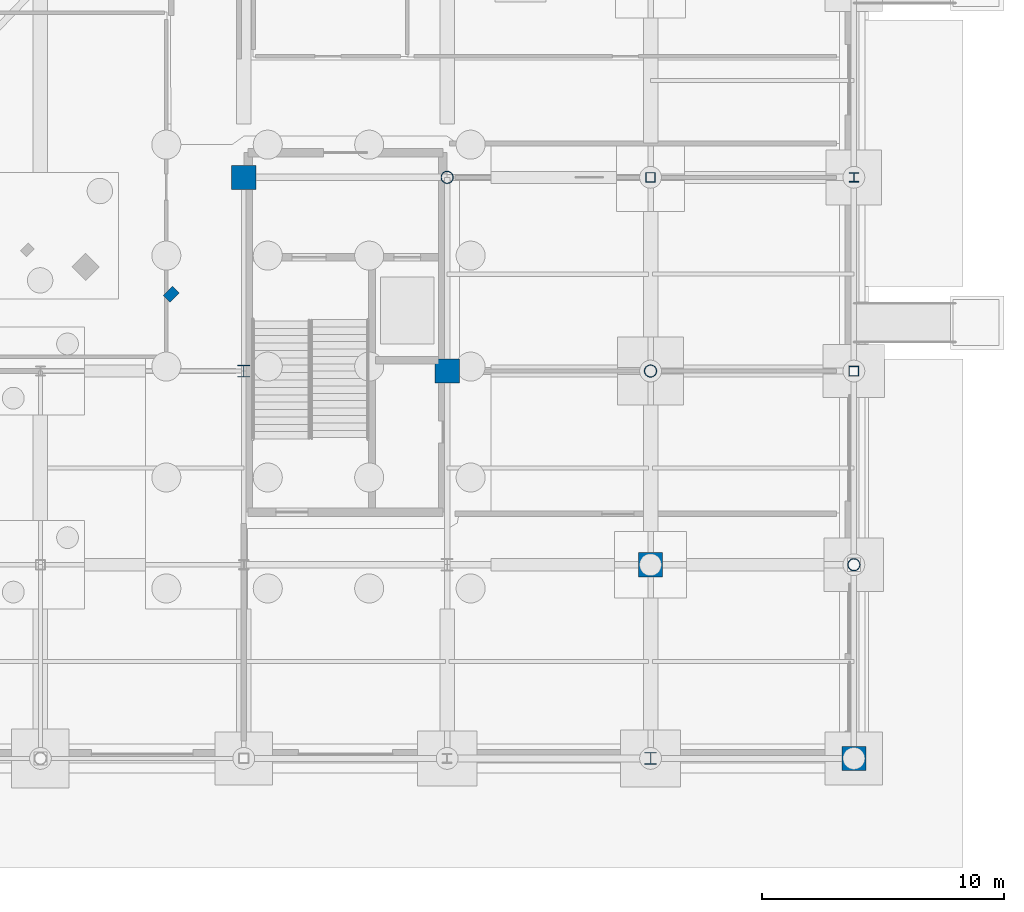
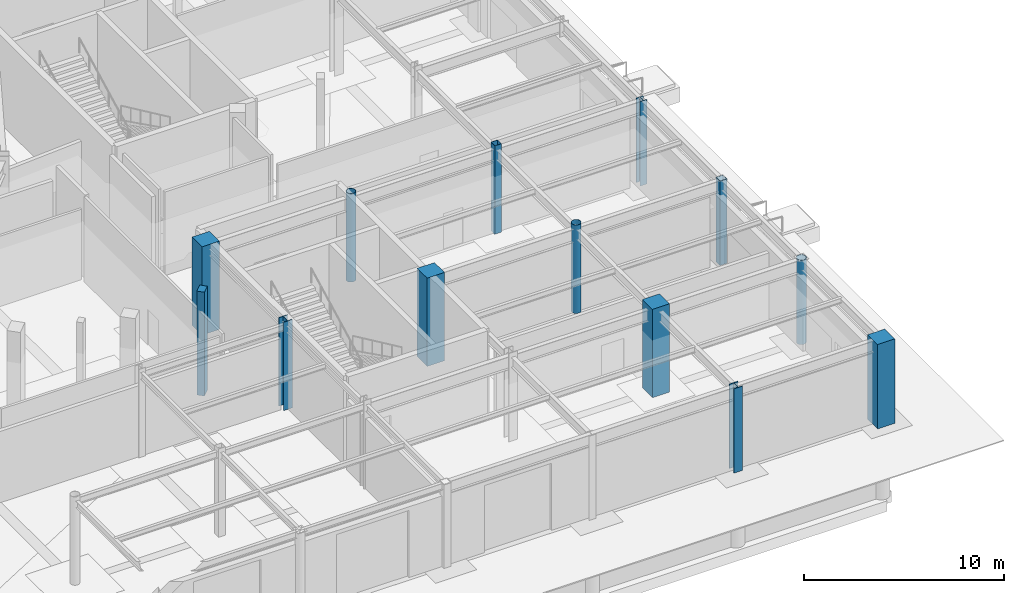
# One storey, part 26 of 93: 13 columns.
"""IFC4 building model written with IfcOpenShell, lengths in metres."""

from ifc_helpers import new_model, si_unit, direction, frame, origin, origin_2d, place, context, subcontext, project, spatial, rectangle, hollow_rectangle, hollow_circle, i_section, extrude, material, material_profile, profile_set, type_object, element, save


model = new_model("IFC4")

# Units and contexts
model_context = context("Model", 3, precision=1e-05, world=origin(), true_north=direction((0.0, 1.0)))
body_context = subcontext(model_context, "Body", "Model", "MODEL_VIEW")
ifc_project = project(units=[si_unit("LENGTHUNIT", "METRE"), si_unit("AREAUNIT", "SQUARE_METRE"), si_unit("VOLUMEUNIT", "CUBIC_METRE"), si_unit("PLANEANGLEUNIT", "RADIAN"), si_unit("MASSUNIT", "GRAM", prefix="KILO")], contexts=[model_context])

# Site, building, storey
site_placement = place(None, origin())
site = spatial("IfcSite", under=ifc_project, at=site_placement, CompositionType="ELEMENT")
building_placement = place(site_placement, origin())
building = spatial("IfcBuilding", under=site, at=building_placement, Name="Kalgoora Escarpment Arena", CompositionType="ELEMENT")
storey_placement = place(building_placement, origin())
storey = spatial("IfcBuildingStorey", under=building, at=storey_placement, Name="L00", CompositionType="ELEMENT", Elevation=0.0)

# Columns
ifc_material_1 = material(Name="Structural steel Grade 350 (350 MPa)", Category="steel")
ifc_material_profile_1 = material_profile(ifc_material_1, i_section(OverallWidth=0.39990234375, OverallDepth=0.39990234375, WebThickness=0.01806640625, FlangeThickness=0.031982421875, at=origin_2d()))
ifc_profile_set_1 = profile_set([ifc_material_profile_1], Name="Structural steel Grade 350 (350 MPa)")
column_type_1 = type_object("IfcColumnType", Name="COL-COL-400WC270", PredefinedType="COLUMN", material=ifc_profile_set_1)
column_1_placement = place(storey_placement, frame((184.800048828125, 24.0, 0.0), z_axis=(0.0, 0.0, 1.0), x_axis=(1.0, 0.0, 0.0)))
element("IfcColumn", 1, at=column_1_placement, inside=storey, type_object=column_type_1, Name="L00 structural column COL-G23-D", PredefinedType="COLUMN", context=body_context, shape_type="SweptSolid", body=[
    extrude(i_section(OverallWidth=0.39990234375, OverallDepth=0.39990234375, WebThickness=0.01806640625, FlangeThickness=0.031982421875, at=origin_2d()), origin(), (0.0, 0.0, 1.0), 5.159912109375),
])
ifc_material_2 = material(Name="Structural steel C450 (450 MPa)", Category="steel")
ifc_material_profile_2 = material_profile(ifc_material_2, hollow_rectangle(XDim=0.39990234375, YDim=0.39990234375, WallThickness=0.01611328125, at=origin_2d()))
ifc_profile_set_2 = profile_set([ifc_material_profile_2], Name="Structural steel C450 (450 MPa)")
column_type_2 = type_object("IfcColumnType", Name="COL-COL-400x400x16.0SHS", PredefinedType="COLUMN", material=ifc_profile_set_2)
column_2_placement = place(storey_placement, frame((176.39990234375, 24.0, 0.0), z_axis=(0.0, 0.0, 1.0), x_axis=(1.0, 0.0, 0.0)))
element("IfcColumn", 2, at=column_2_placement, inside=storey, type_object=column_type_2, Name="L00 structural column COL-G22-D", PredefinedType="COLUMN", context=body_context, shape_type="SweptSolid", body=[
    extrude(hollow_rectangle(XDim=0.39990234375, YDim=0.39990234375, WallThickness=0.01611328125, at=origin_2d()), origin(), (0.0, 0.0, 1.0), 5.39990234375),
])
column_3_placement = place(storey_placement, frame((184.800048828125, 16.0, 0.0), z_axis=(0.0, 0.0, 1.0), x_axis=(1.0, 0.0, 0.0)))
element("IfcColumn", 3, at=column_3_placement, inside=storey, type_object=column_type_2, Name="L00 structural column COL-G23-C", PredefinedType="COLUMN", context=body_context, shape_type="SweptSolid", body=[
    extrude(hollow_rectangle(XDim=0.39990234375, YDim=0.39990234375, WallThickness=0.01611328125, at=origin_2d()), origin(), (0.0, 0.0, 1.0), 5.159912109375),
])
ifc_material_3 = material(Name="Structural steel Grade 350 (350 MPa)", Category="steel")
ifc_material_profile_3 = material_profile(ifc_material_3, i_section(OverallWidth=0.5, OverallDepth=0.5, WebThickness=0.02001953125, FlangeThickness=0.034912109375, at=origin_2d()))
ifc_profile_set_3 = profile_set([ifc_material_profile_3], Name="Structural steel Grade 350 (350 MPa)")
column_type_3 = type_object("IfcColumnType", Name="COL-COL-500WC340", PredefinedType="COLUMN", material=ifc_profile_set_3)
column_4_placement = place(storey_placement, frame((159.60009765625, 16.0, 0.0), z_axis=(0.0, 0.0, 1.0), x_axis=(1.0, 0.0, 0.0)))
element("IfcColumn", 4, at=column_4_placement, inside=storey, type_object=column_type_3, Name="L00 structural column COL-G20-C", PredefinedType="COLUMN", context=body_context, shape_type="SweptSolid", body=[
    extrude(i_section(OverallWidth=0.5, OverallDepth=0.5, WebThickness=0.02001953125, FlangeThickness=0.034912109375, at=origin_2d()), origin(), (0.0, 0.0, 1.0), 5.39990234375),
])
column_5_placement = place(storey_placement, frame((176.39990234375, 0.0, 0.0), z_axis=(0.0, 0.0, 1.0), x_axis=(1.0, 0.0, 0.0)))
element("IfcColumn", 5, at=column_5_placement, inside=storey, type_object=column_type_3, Name="L00 structural column COL-G22-A", PredefinedType="COLUMN", context=body_context, shape_type="SweptSolid", body=[
    extrude(i_section(OverallWidth=0.5, OverallDepth=0.5, WebThickness=0.02001953125, FlangeThickness=0.034912109375, at=origin_2d()), origin(), (0.0, 0.0, 1.0), 5.159912109375),
])
ifc_material_4 = material(Name="Structural steel C350 (350 MPa)", Category="steel")
ifc_material_profile_4 = material_profile(ifc_material_4, hollow_circle(Radius=0.25390625, WallThickness=0.01611328125, at=origin_2d()))
ifc_profile_set_4 = profile_set([ifc_material_profile_4], Name="Structural steel C350 (350 MPa)")
column_type_4 = type_object("IfcColumnType", Name="COL-COL-508.0x16.0CHS", PredefinedType="COLUMN", material=ifc_profile_set_4)
for number, where, z_axis, x_axis, name in (
    (6, (168.0, 24.0, 0.0), (0.0, 0.0, 1.0), (1.0, 0.0, 0.0), "L00 structural column COL-G21-D"),
    (7, (176.39990234375, 16.0, 0.0), (0.0, 0.0, 1.0), (1.0, 0.0, 0.0), "L00 structural column COL-G22-C"),
):
    element("IfcColumn", number, at=place(storey_placement, frame(where, z_axis=z_axis, x_axis=x_axis)), inside=storey, type_object=column_type_4, Name=name, PredefinedType="COLUMN", context=body_context, shape_type="SweptSolid", body=[
        extrude(hollow_circle(Radius=0.25390625, WallThickness=0.01611328125, at=origin_2d()), origin(), (0.0, 0.0, 1.0), 5.39990234375),
    ])
column_6_placement = place(storey_placement, frame((184.800048828125, 8.0, 0.0), z_axis=(0.0, 0.0, 1.0), x_axis=(1.0, 0.0, 0.0)))
element("IfcColumn", 8, at=column_6_placement, inside=storey, type_object=column_type_4, Name="L00 structural column COL-G23-B", PredefinedType="COLUMN", context=body_context, shape_type="SweptSolid", body=[
    extrude(hollow_circle(Radius=0.25390625, WallThickness=0.01611328125, at=origin_2d()), origin(), (0.0, 0.0, 1.0), 5.159912109375),
])
ifc_material_5 = material(Name="Concrete N50 (fc' 50 MPa)", Category="concrete")
ifc_material_profile_5 = material_profile(ifc_material_5, rectangle(XDim=1.0, YDim=1.0, at=origin_2d()))
ifc_profile_set_5 = profile_set([ifc_material_profile_5], Name="Concrete N50 (fc' 50 MPa)")
column_type_5 = type_object("IfcColumnType", Name="COL-COL-RC1000x1000", PredefinedType="COLUMN", material=ifc_profile_set_5)
for number, where, z_axis, x_axis, name in (
    (9, (159.60009765625, 24.0, 0.0), (0.0, 0.0, 1.0), (1.0, 0.0, 0.0), "L00 structural column COL-G20-D"),
    (10, (168.0, 16.0, 0.0), (0.0, 0.0, 1.0), (1.0, 0.0, 0.0), "L00 structural column COL-G21-C"),
    (11, (176.39990234375, 8.0, 0.0), (0.0, 0.0, 1.0), (1.0, 0.0, 0.0), "L00 structural column COL-G22-B"),
):
    element("IfcColumn", number, at=place(storey_placement, frame(where, z_axis=z_axis, x_axis=x_axis)), inside=storey, type_object=column_type_5, Name=name, PredefinedType="COLUMN", context=body_context, shape_type="SweptSolid", body=[
        extrude(rectangle(XDim=1.0, YDim=1.0, at=origin_2d()), origin(), (0.0, 0.0, 1.0), 5.39990234375),
    ])
column_7_placement = place(storey_placement, frame((184.800048828125, 0.0, 0.0), z_axis=(0.0, 0.0, 1.0), x_axis=(1.0, 0.0, 0.0)))
element("IfcColumn", 12, at=column_7_placement, inside=storey, type_object=column_type_5, Name="L00 structural column COL-G23-A", PredefinedType="COLUMN", context=body_context, shape_type="SweptSolid", body=[
    extrude(rectangle(XDim=1.0, YDim=1.0, at=origin_2d()), origin(), (0.0, 0.0, 1.0), 5.159912109375),
])
ifc_material_6 = material(Name="Precast concrete N50 (fc' 50 MPa)", Category="concrete")
ifc_material_profile_6 = material_profile(ifc_material_6, rectangle(XDim=0.39990234375, YDim=0.550048828125, at=origin_2d()))
ifc_profile_set_6 = profile_set([ifc_material_profile_6], Name="Precast concrete N50 (fc' 50 MPa)")
column_type_6 = type_object("IfcColumnType", Name="COL-PIL-PC-PILASTER-550x400", PredefinedType="PILASTER", material=ifc_profile_set_6)
column_8_placement = place(storey_placement, frame((156.60498046875, 19.1689453125, 0.0), z_axis=(0.0, 0.0, 1.0), x_axis=(0.707106781187, -0.707106781187, 0.0)))
element("IfcColumn", 13, at=column_8_placement, inside=storey, type_object=column_type_6, Name="L00 fluted pilaster PIL-043", PredefinedType="PILASTER", context=body_context, shape_type="SweptSolid", body=[
    extrude(rectangle(XDim=0.39990234375, YDim=0.550048828125, at=origin_2d()), origin(), (0.0, 0.0, 1.0), 6.35009765625),
])

save(model, "model.ifc")
